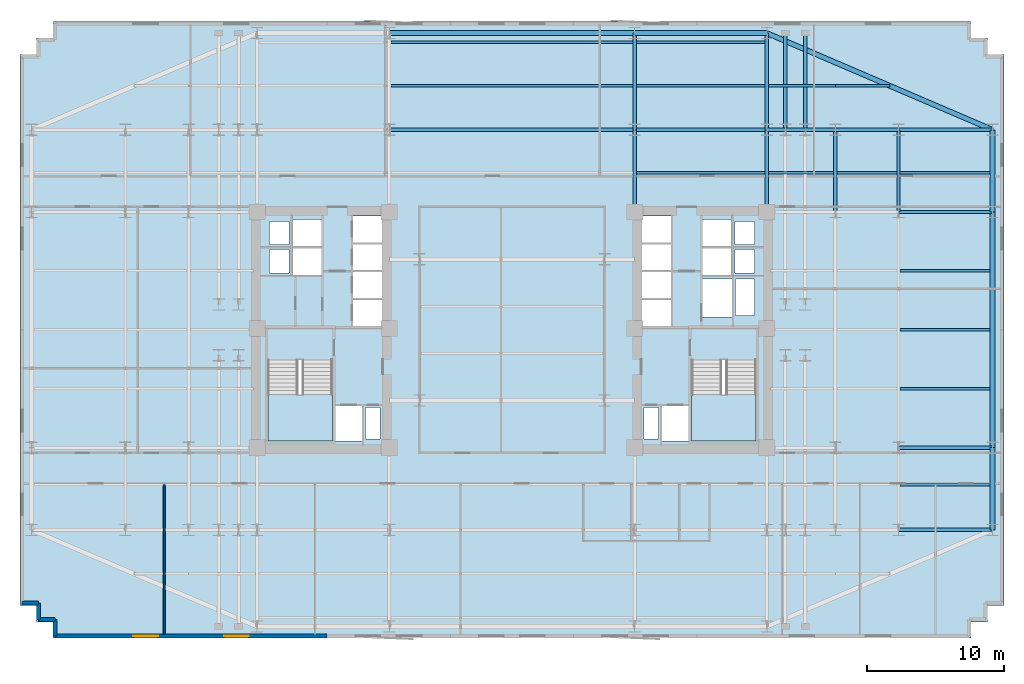
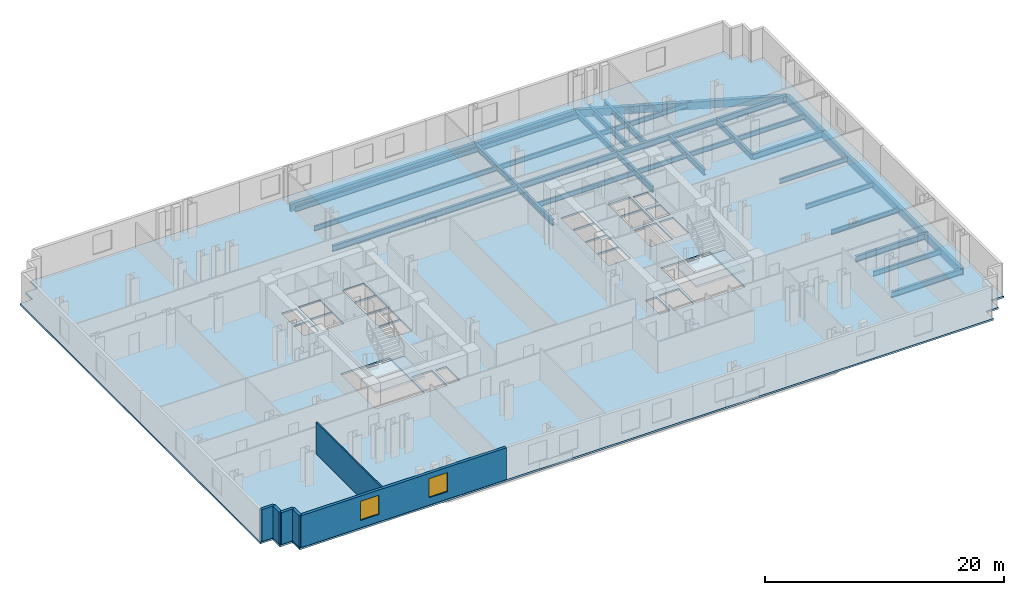
# One storey, part 3 of 10: 36 beams, 6 walls, 3 slabs, 2 windows, 2 openings, 2 elements without a shape of their own.
"""IFC4 building model written with IfcOpenShell, lengths in metres."""

from ifc_helpers import new_model, si_unit, direction, frame, frame_2d, origin, origin_2d, place, context, subcontext, project, spatial, polyline, rectangle, i_section, outline, extrude, material, layer, layer_set, material_profile, profile_set, type_object, element, fill, aggregate, save


model = new_model("IFC4")

# Units and contexts
model_context = context("Model", 3, precision=1e-05, world=origin(), true_north=direction((0.0, 1.0)))
body_context = subcontext(model_context, "Body", "Model", "MODEL_VIEW")
ifc_project = project(units=[si_unit("LENGTHUNIT", "METRE"), si_unit("AREAUNIT", "SQUARE_METRE"), si_unit("VOLUMEUNIT", "CUBIC_METRE"), si_unit("PLANEANGLEUNIT", "RADIAN"), si_unit("MASSUNIT", "GRAM", prefix="KILO")], contexts=[model_context])

# Site, building, storey
site_placement = place(None, origin())
site = spatial("IfcSite", under=ifc_project, at=site_placement, CompositionType="ELEMENT")
building_placement = place(site_placement, origin())
building = spatial("IfcBuilding", under=site, at=building_placement, Name="Velakula Bourse", CompositionType="ELEMENT")
storey_placement = place(building_placement, frame((0.0, 0.0, 48.449951171875)))
storey = spatial("IfcBuildingStorey", under=building, at=storey_placement, Name="L12", CompositionType="ELEMENT", Elevation=48.449951171875)

# Beams
ifc_material_1 = material(Name="Steel IS 2062 Grade 350 (E350)", Category="steel")
ifc_material_profile_1 = material_profile(ifc_material_1, i_section(OverallWidth=0.25, OverallDepth=0.60009765625, WebThickness=0.01171875, FlangeThickness=0.023681640625, at=origin_2d()), Name="Steel IS 2062 Grade 350 (E350)")
ifc_profile_set_1 = profile_set([ifc_material_profile_1], Name="Steel IS 2062 Grade 350 (E350)")
beam_type_1 = type_object("IfcBeamType", Name="BM-GRD-600H", PredefinedType="BEAM", material=ifc_profile_set_1)
for number, where, z_axis, x_axis, name in (
    (1, (8.949951171875, 8.60009765625, -0.47998046875), (0.0, 1.0, 0.0), (-1.0, 0.0, 0.0), "L12 Fulcrum Grid Girder FLC-ECN"),
    (2, (18.60009765625, 8.60009765625, -0.47998046875), (0.0, 1.0, 0.0), (-1.0, 0.0, 0.0), "L12 Fulcrum Grid Girder FLC-EN"),
):
    element("IfcBeam", number, at=place(storey_placement, frame(where, z_axis=z_axis, x_axis=x_axis)), inside=storey, type_object=beam_type_1, Name=name, PredefinedType="BEAM", context=body_context, shape_type="SweptSolid", body=[
        extrude(i_section(OverallWidth=0.25, OverallDepth=0.60009765625, WebThickness=0.01171875, FlangeThickness=0.023681640625, at=origin_2d()), origin(), (0.0, 0.0, 1.0), 6.0),
    ])
beam_1_placement = place(storey_placement, frame((-8.949951171875, 14.60009765625, -0.47998046875), z_axis=(1.0, 0.0, 0.0), x_axis=(0.0, 1.0, 0.0)))
element("IfcBeam", 3, at=beam_1_placement, inside=storey, type_object=beam_type_1, Name="L12 Fulcrum Grid Girder FLC-N2", PredefinedType="BEAM", context=body_context, shape_type="SweptSolid", body=[
    extrude(i_section(OverallWidth=0.25, OverallDepth=0.60009765625, WebThickness=0.01171875, FlangeThickness=0.023681640625, at=origin_2d()), origin(), (0.0, 0.0, 1.0), 17.89990234375),
])
beam_2_placement = place(storey_placement, frame((8.949951171875, 14.60009765625, -0.47998046875), z_axis=(1.0, 0.0, 0.0), x_axis=(0.0, 1.0, 0.0)))
element("IfcBeam", 4, at=beam_2_placement, inside=storey, type_object=beam_type_1, Name="L12 Fulcrum Grid Girder FLC-N3", PredefinedType="BEAM", context=body_context, shape_type="SweptSolid", body=[
    extrude(i_section(OverallWidth=0.25, OverallDepth=0.60009765625, WebThickness=0.01171875, FlangeThickness=0.023681640625, at=origin_2d()), origin(), (0.0, 0.0, 1.0), 9.650146484375),
])
beam_3_placement = place(storey_placement, frame((18.60009765625, 14.60009765625, -0.47998046875), z_axis=(1.0, 0.0, 0.0), x_axis=(0.0, 1.0, 0.0)))
element("IfcBeam", 5, at=beam_3_placement, inside=storey, type_object=beam_type_1, Name="L12 Fulcrum Grid Girder MWG-EN2", PredefinedType="BEAM", context=body_context, shape_type="SweptSolid", body=[
    extrude(i_section(OverallWidth=0.25, OverallDepth=0.60009765625, WebThickness=0.01171875, FlangeThickness=0.023681640625, at=origin_2d()), origin(), (0.0, 0.0, 1.0), 5.0),
])
beam_4_placement = place(storey_placement, frame((23.60009765625, 8.60009765625, -0.47998046875), z_axis=(0.0, 1.0, 0.0), x_axis=(-1.0, 0.0, 0.0)))
element("IfcBeam", 6, at=beam_4_placement, inside=storey, type_object=beam_type_1, Name="L12 Fulcrum Grid Girder MWG-ENS3", PredefinedType="BEAM", context=body_context, shape_type="SweptSolid", body=[
    extrude(i_section(OverallWidth=0.25, OverallDepth=0.60009765625, WebThickness=0.01171875, FlangeThickness=0.023681640625, at=origin_2d()), origin(), (0.0, 0.0, 1.0), 6.0),
])
beam_5_placement = place(storey_placement, frame((23.60009765625, 14.60009765625, -0.47998046875), z_axis=(1.0, 0.0, 0.0), x_axis=(0.0, 1.0, 0.0)))
element("IfcBeam", 7, at=beam_5_placement, inside=storey, type_object=beam_type_1, Name="L12 Fulcrum Grid Girder WNG-EN2", PredefinedType="BEAM", context=body_context, shape_type="SweptSolid", body=[
    extrude(i_section(OverallWidth=0.25, OverallDepth=0.60009765625, WebThickness=0.01171875, FlangeThickness=0.023681640625, at=origin_2d()), origin(), (0.0, 0.0, 1.0), 4.599853515625),
])
beam_6_placement = place(storey_placement, frame((28.199951171875, 8.60009765625, -0.47998046875), z_axis=(0.0, 1.0, 0.0), x_axis=(-1.0, 0.0, 0.0)))
element("IfcBeam", 8, at=beam_6_placement, inside=storey, type_object=beam_type_1, Name="L12 Fulcrum Grid Girder WNG-ENS3", PredefinedType="BEAM", context=body_context, shape_type="SweptSolid", body=[
    extrude(i_section(OverallWidth=0.25, OverallDepth=0.60009765625, WebThickness=0.01171875, FlangeThickness=0.023681640625, at=origin_2d()), origin(), (0.0, 0.0, 1.0), 6.0),
])
for number, where, z_axis, x_axis, name in (
    (9, (8.949951171875, 14.60009765625, -0.47998046875), (0.0, 1.0, 0.0), (-1.0, 0.0, 0.0), "L12 Perimeter Tie Girder N3"),
    (10, (18.60009765625, 14.60009765625, -0.47998046875), (0.0, 1.0, 0.0), (-1.0, 0.0, 0.0), "L12 Perimeter Tie Girder N4"),
):
    element("IfcBeam", number, at=place(storey_placement, frame(where, z_axis=z_axis, x_axis=x_axis)), inside=storey, type_object=beam_type_1, Name=name, PredefinedType="BEAM", context=body_context, shape_type="SweptSolid", body=[
        extrude(i_section(OverallWidth=0.25, OverallDepth=0.60009765625, WebThickness=0.01171875, FlangeThickness=0.023681640625, at=origin_2d()), origin(), (0.0, 0.0, 1.0), 7.0498046875),
    ])
for number, where, z_axis, x_axis, name in (
    (11, (28.199951171875, -14.60009765625, -0.47998046875), (1.0, 0.0, 0.0), (0.0, 1.0, 0.0), "L12 Perimeter Tie Girder E1"),
    (12, (28.199951171875, -8.60009765625, -0.47998046875), (1.0, 0.0, 0.0), (0.0, 1.0, 0.0), "L12 Perimeter Tie Girder E2"),
    (13, (28.199951171875, 8.60009765625, -0.47998046875), (1.0, 0.0, 0.0), (0.0, 1.0, 0.0), "L12 Perimeter Tie Girder E3"),
    (14, (28.199951171875, 14.60009765625, -0.47998046875), (1.0, 0.0, 0.0), (0.0, 1.0, 0.0), "L12 Perimeter Tie Girder E4"),
):
    element("IfcBeam", number, at=place(storey_placement, frame(where, z_axis=z_axis, x_axis=x_axis)), inside=storey, type_object=beam_type_1, Name=name, PredefinedType="BEAM", context=body_context, shape_type="SweptSolid", body=[
        extrude(i_section(OverallWidth=0.25, OverallDepth=0.60009765625, WebThickness=0.01171875, FlangeThickness=0.023681640625, at=origin_2d()), origin(), (0.0, 0.0, 1.0), 6.85009765625),
    ])
for number, where, z_axis, x_axis, name in (
    (15, (19.949951171875, 14.60009765625, -0.47998046875), (0.0, 1.0, 0.0), (-1.0, 0.0, 0.0), "L12 Perimeter Tie Girder P07"),
    (16, (21.39990234375, 14.60009765625, -0.47998046875), (0.0, 1.0, 0.0), (-1.0, 0.0, 0.0), "L12 Perimeter Tie Girder P08"),
):
    element("IfcBeam", number, at=place(storey_placement, frame(where, z_axis=z_axis, x_axis=x_axis)), inside=storey, type_object=beam_type_1, Name=name, PredefinedType="BEAM", context=body_context, shape_type="SweptSolid", body=[
        extrude(i_section(OverallWidth=0.25, OverallDepth=0.60009765625, WebThickness=0.01171875, FlangeThickness=0.023681640625, at=origin_2d()), origin(), (0.0, 0.0, 1.0), 7.0498046875),
    ])
ifc_material_profile_2 = material_profile(ifc_material_1, i_section(OverallWidth=0.179931640625, OverallDepth=0.5, WebThickness=0.01025390625, FlangeThickness=0.01708984375, at=origin_2d()), Name="Steel IS 2062 Grade 350 (E350)")
ifc_profile_set_2 = profile_set([ifc_material_profile_2], Name="Steel IS 2062 Grade 350 (E350)")
beam_type_2 = type_object("IfcBeamType", Name="JST-TWR-500", PredefinedType="JOIST", material=ifc_profile_set_2)
beam_7_placement = place(storey_placement, frame((28.324951171875, -11.300048828125, -0.429931640625), z_axis=(1.0, 0.0, 0.0), x_axis=(0.0, 1.0, 0.0)))
element("IfcBeam", 17, at=beam_7_placement, inside=storey, type_object=beam_type_2, Name="L12 Trading Floor Composite Joist 19", PredefinedType="JOIST", context=body_context, shape_type="SweptSolid", body=[
    extrude(i_section(OverallWidth=0.179931640625, OverallDepth=0.5, WebThickness=0.01025390625, FlangeThickness=0.01708984375, at=origin_2d()), origin(), (0.0, 0.0, 1.0), 6.550048828125),
])
beam_8_placement = place(storey_placement, frame((9.074951171875, 11.449951171875, -0.429931640625), z_axis=(1.0, 0.0, 0.0), x_axis=(0.0, 1.0, 0.0)))
element("IfcBeam", 18, at=beam_8_placement, inside=storey, type_object=beam_type_2, Name="L12 Trading Floor Composite Joist 25", PredefinedType="JOIST", context=body_context, shape_type="SweptSolid", body=[
    extrude(i_section(OverallWidth=0.179931640625, OverallDepth=0.5, WebThickness=0.01025390625, FlangeThickness=0.01708984375, at=origin_2d()), origin(), (0.0, 0.0, 1.0), 9.400146484375),
])
beam_9_placement = place(storey_placement, frame((18.72509765625, 11.449951171875, -0.429931640625), z_axis=(1.0, 0.0, 0.0), x_axis=(0.0, 1.0, 0.0)))
element("IfcBeam", 19, at=beam_9_placement, inside=storey, type_object=beam_type_2, Name="L12 Trading Floor Composite Joist 26", PredefinedType="JOIST", context=body_context, shape_type="SweptSolid", body=[
    extrude(i_section(OverallWidth=0.179931640625, OverallDepth=0.5, WebThickness=0.01025390625, FlangeThickness=0.01708984375, at=origin_2d()), origin(), (0.0, 0.0, 1.0), 4.75),
])
beam_10_placement = place(storey_placement, frame((23.72509765625, 11.449951171875, -0.429931640625), z_axis=(1.0, 0.0, 0.0), x_axis=(0.0, 1.0, 0.0)))
element("IfcBeam", 20, at=beam_10_placement, inside=storey, type_object=beam_type_2, Name="L12 Trading Floor Composite Joist 27", PredefinedType="JOIST", context=body_context, shape_type="SweptSolid", body=[
    extrude(i_section(OverallWidth=0.179931640625, OverallDepth=0.5, WebThickness=0.01025390625, FlangeThickness=0.01708984375, at=origin_2d()), origin(), (0.0, 0.0, 1.0), 4.349853515625),
])
beam_11_placement = place(storey_placement, frame((28.324951171875, 11.449951171875, -0.429931640625), z_axis=(1.0, 0.0, 0.0), x_axis=(0.0, 1.0, 0.0)))
element("IfcBeam", 21, at=beam_11_placement, inside=storey, type_object=beam_type_2, Name="L12 Trading Floor Composite Joist 28", PredefinedType="JOIST", context=body_context, shape_type="SweptSolid", body=[
    extrude(i_section(OverallWidth=0.179931640625, OverallDepth=0.5, WebThickness=0.01025390625, FlangeThickness=0.01708984375, at=origin_2d()), origin(), (0.0, 0.0, 1.0), 6.550048828125),
])
beam_12_placement = place(storey_placement, frame((-8.824951171875, 17.800048828125, -0.429931640625), z_axis=(1.0, 0.0, 0.0), x_axis=(0.0, 1.0, 0.0)))
element("IfcBeam", 22, at=beam_12_placement, inside=storey, type_object=beam_type_2, Name="L12 Trading Floor Composite Joist 32", PredefinedType="JOIST", context=body_context, shape_type="SweptSolid", body=[
    extrude(i_section(OverallWidth=0.179931640625, OverallDepth=0.5, WebThickness=0.01025390625, FlangeThickness=0.01708984375, at=origin_2d()), origin(), (0.0, 0.0, 1.0), 17.64990234375),
])
beam_13_placement = place(storey_placement, frame((9.074951171875, 17.800048828125, -0.429931640625), z_axis=(1.0, 0.0, 0.0), x_axis=(0.0, 1.0, 0.0)))
element("IfcBeam", 23, at=beam_13_placement, inside=storey, type_object=beam_type_2, Name="L12 Trading Floor Composite Joist 33", PredefinedType="JOIST", context=body_context, shape_type="SweptSolid", body=[
    extrude(i_section(OverallWidth=0.179931640625, OverallDepth=0.5, WebThickness=0.01025390625, FlangeThickness=0.01708984375, at=origin_2d()), origin(), (0.0, 0.0, 1.0), 9.400146484375),
])
beam_14_placement = place(storey_placement, frame((18.72509765625, 17.800048828125, -0.429931640625), z_axis=(1.0, 0.0, 0.0), x_axis=(0.0, 1.0, 0.0)))
element("IfcBeam", 24, at=beam_14_placement, inside=storey, type_object=beam_type_2, Name="L12 Trading Floor Composite Joist 34", PredefinedType="JOIST", context=body_context, shape_type="SweptSolid", body=[
    extrude(i_section(OverallWidth=0.179931640625, OverallDepth=0.5, WebThickness=0.01025390625, FlangeThickness=0.01708984375, at=origin_2d()), origin(), (0.0, 0.0, 1.0), 4.875),
])
beam_15_placement = place(storey_placement, frame((23.60009765625, 17.800048828125, -0.429931640625), z_axis=(1.0, 0.0, 0.0), x_axis=(0.0, 1.0, 0.0)))
element("IfcBeam", 25, at=beam_15_placement, inside=storey, type_object=beam_type_2, Name="L12 Trading Floor Composite Joist 35", PredefinedType="JOIST", context=body_context, shape_type="SweptSolid", body=[
    extrude(i_section(OverallWidth=0.179931640625, OverallDepth=0.5, WebThickness=0.01025390625, FlangeThickness=0.01708984375, at=origin_2d()), origin(), (0.0, 0.0, 1.0), 3.983154296875),
])
beam_16_placement = place(storey_placement, frame((-8.824951171875, 21.0, -0.429931640625), z_axis=(1.0, 0.0, 0.0), x_axis=(0.0, 1.0, 0.0)))
element("IfcBeam", 26, at=beam_16_placement, inside=storey, type_object=beam_type_2, Name="L12 Trading Floor Composite Joist 37", PredefinedType="JOIST", context=body_context, shape_type="SweptSolid", body=[
    extrude(i_section(OverallWidth=0.179931640625, OverallDepth=0.5, WebThickness=0.01025390625, FlangeThickness=0.01708984375, at=origin_2d()), origin(), (0.0, 0.0, 1.0), 17.64990234375),
])
beam_17_placement = place(storey_placement, frame((9.074951171875, 21.0, -0.429931640625), z_axis=(1.0, 0.0, 0.0), x_axis=(0.0, 1.0, 0.0)))
element("IfcBeam", 27, at=beam_17_placement, inside=storey, type_object=beam_type_2, Name="L12 Trading Floor Composite Joist 38", PredefinedType="JOIST", context=body_context, shape_type="SweptSolid", body=[
    extrude(i_section(OverallWidth=0.179931640625, OverallDepth=0.5, WebThickness=0.01025390625, FlangeThickness=0.01708984375, at=origin_2d()), origin(), (0.0, 0.0, 1.0), 9.400146484375),
])
for number, where, z_axis, x_axis, name in (
    (28, (28.324951171875, -4.300048828125, -0.429931640625), (1.0, 0.0, 0.0), (0.0, 1.0, 0.0), "L12 Trading Floor Composite Joist 46"),
    (29, (28.324951171875, 0.0, -0.429931640625), (1.0, 0.0, 0.0), (0.0, 1.0, 0.0), "L12 Trading Floor Composite Joist 52"),
    (30, (28.324951171875, 4.300048828125, -0.429931640625), (1.0, 0.0, 0.0), (0.0, 1.0, 0.0), "L12 Trading Floor Composite Joist 58"),
):
    element("IfcBeam", number, at=place(storey_placement, frame(where, z_axis=z_axis, x_axis=x_axis)), inside=storey, type_object=beam_type_2, Name=name, PredefinedType="JOIST", context=body_context, shape_type="SweptSolid", body=[
        extrude(i_section(OverallWidth=0.179931640625, OverallDepth=0.5, WebThickness=0.01025390625, FlangeThickness=0.01708984375, at=origin_2d()), origin(), (0.0, 0.0, 1.0), 6.550048828125),
    ])
ifc_material_2 = material(Name="Precast concrete M45 (fck 45 MPa)", Category="concrete")
ifc_material_profile_3 = material_profile(ifc_material_2, rectangle(XDim=0.35009765625, YDim=0.75, at=origin_2d()), Name="Precast concrete M45 (fck 45 MPa)")
ifc_profile_set_3 = profile_set([ifc_material_profile_3], Name="Precast concrete M45 (fck 45 MPa)")
beam_type_3 = type_object("IfcBeamType", Name="SPN-BRICK-750", PredefinedType="SPANDREL", material=ifc_profile_set_3)
beam_18_placement = place(storey_placement, frame((-8.949951171875, 21.64990234375, -0.554931640625), z_axis=(1.0, 0.0, 0.0), x_axis=(0.0, 1.0, 0.0)))
element("IfcBeam", 31, at=beam_18_placement, inside=storey, type_object=beam_type_3, Name="L12 Brick-Faced Precast Spandrel N2-N3", PredefinedType="SPANDREL", context=body_context, shape_type="SweptSolid", body=[
    extrude(rectangle(XDim=0.35009765625, YDim=0.75, at=origin_2d()), origin(), (0.0, 0.0, 1.0), 17.89990234375),
])
beam_19_placement = place(storey_placement, frame((8.949951171875, 21.64990234375, -0.554931640625), z_axis=(1.0, 0.0, 0.0), x_axis=(0.0, 1.0, 0.0)))
element("IfcBeam", 32, at=beam_19_placement, inside=storey, type_object=beam_type_3, Name="L12 Brick-Faced Precast Spandrel N3-N4", PredefinedType="SPANDREL", context=body_context, shape_type="SweptSolid", body=[
    extrude(rectangle(XDim=0.35009765625, YDim=0.75, at=origin_2d()), origin(), (0.0, 0.0, 1.0), 9.650146484375),
])
beam_20_placement = place(storey_placement, frame((35.050048828125, -14.60009765625, -0.554931640625), z_axis=(0.0, 1.0, 0.0), x_axis=(-1.0, 0.0, 0.0)))
element("IfcBeam", 33, at=beam_20_placement, inside=storey, type_object=beam_type_3, Name="L12 Brick-Faced Precast Spandrel E1-E2", PredefinedType="SPANDREL", context=body_context, shape_type="SweptSolid", body=[
    extrude(rectangle(XDim=0.35009765625, YDim=0.75, at=origin_2d()), origin(), (0.0, 0.0, 1.0), 6.0),
])
beam_21_placement = place(storey_placement, frame((35.050048828125, -8.60009765625, -0.554931640625), z_axis=(0.0, 1.0, 0.0), x_axis=(-1.0, 0.0, 0.0)))
element("IfcBeam", 34, at=beam_21_placement, inside=storey, type_object=beam_type_3, Name="L12 Brick-Faced Precast Spandrel E2-E3", PredefinedType="SPANDREL", context=body_context, shape_type="SweptSolid", body=[
    extrude(rectangle(XDim=0.35009765625, YDim=0.75, at=origin_2d()), origin(), (0.0, 0.0, 1.0), 17.2001953125),
])
beam_22_placement = place(storey_placement, frame((35.050048828125, 8.60009765625, -0.554931640625), z_axis=(0.0, 1.0, 0.0), x_axis=(-1.0, 0.0, 0.0)))
element("IfcBeam", 35, at=beam_22_placement, inside=storey, type_object=beam_type_3, Name="L12 Brick-Faced Precast Spandrel E3-E4", PredefinedType="SPANDREL", context=body_context, shape_type="SweptSolid", body=[
    extrude(rectangle(XDim=0.35009765625, YDim=0.75, at=origin_2d()), origin(), (0.0, 0.0, 1.0), 6.0),
])
beam_23_placement = place(storey_placement, frame((35.050048828125, 14.60009765625, -0.554931640625), z_axis=(-0.919148557947, 0.393911066642, 0.0), x_axis=(-0.393911066642, -0.919148557947, 0.0)))
element("IfcBeam", 36, at=beam_23_placement, inside=storey, type_object=beam_type_3, Name="L12 Brick-Faced Precast Spandrel E4-N4", PredefinedType="SPANDREL", context=body_context, shape_type="SweptSolid", body=[
    extrude(rectangle(XDim=0.35009765625, YDim=0.75, at=origin_2d()), origin(), (0.0, 0.0, 1.0), 17.89697265625),
])

# Stair, slab
ifc_material_3 = material(Name="Concrete M45 (fck 45 MPa)", Category="concrete")
stair_type = type_object("IfcStairType", Name="STR-DOG-390", PredefinedType="HALF_TURN_STAIR", material=ifc_material_3)
stair_1_placement = place(storey_placement, origin())
stair_1 = element("IfcStair", 37, at=stair_1_placement, inside=storey, type_object=stair_type, Name="L12 West Core Exit Stair ST-W1", PredefinedType="HALF_TURN_STAIR")
ifc_layer_1 = layer(ifc_material_3, 0.199951171875, Name="Concrete M45 (fck 45 MPa)", Category="concrete")
ifc_layer_set_1 = layer_set([ifc_layer_1], Name="Concrete M45 (fck 45 MPa)")
slab_type_1 = type_object("IfcSlabType", Name="SLB-STAIR-LND-200", PredefinedType="LANDING", material=ifc_layer_set_1)
slab_1_placement = place(storey_placement, frame((0.0, 0.0, 1.525146484375)))
slab_1 = element("IfcSlab", 38, at=slab_1_placement, type_object=slab_type_1, Name="ST-W1 landing 1", PredefinedType="LANDING", context=body_context, shape_type="SweptSolid", body=[
    extrude(outline(polyline([(-17.820068359375, -4.719970703125), (-17.820068359375, -8.10009765625), (-13.10009765625, -8.10009765625), (-13.10009765625, -4.719970703125), (-17.820068359375, -4.719970703125)])), origin(), (0.0, 0.0, 1.0), 0.199951171875),
])
aggregate(stair_1, [slab_1])

stair_2_placement = place(storey_placement, origin())
stair_2 = element("IfcStair", 39, at=stair_2_placement, inside=storey, type_object=stair_type, Name="L12 East Core Exit Stair ST-E1", PredefinedType="HALF_TURN_STAIR")
slab_2_placement = place(storey_placement, frame((0.0, 0.0, 1.525146484375)))
slab_2 = element("IfcSlab", 40, at=slab_2_placement, type_object=slab_type_1, Name="ST-E1 landing 1", PredefinedType="LANDING", context=body_context, shape_type="SweptSolid", body=[
    extrude(outline(polyline([(13.10009765625, -4.719970703125), (13.10009765625, -8.10009765625), (17.820068359375, -8.10009765625), (17.820068359375, -4.719970703125), (13.10009765625, -4.719970703125)])), origin(), (0.0, 0.0, 1.0), 0.199951171875),
])
aggregate(stair_2, [slab_2])

# Slab
ifc_material_4 = material(Name="Concrete M50 (fck 50 MPa)", Category="concrete")
ifc_layer_2 = layer(ifc_material_4, 0.179931640625, Name="Concrete M50 (fck 50 MPa)", Category="concrete")
ifc_layer_set_2 = layer_set([ifc_layer_2], Name="Concrete M50 (fck 50 MPa)")
slab_type_2 = type_object("IfcSlabType", Name="SLB-TWR-180", PredefinedType="FLOOR", material=ifc_layer_set_2)
slab_3_placement = place(storey_placement, frame((0.0, 0.0, -0.179931640625)))
element("IfcSlab", 41, at=slab_3_placement, inside=storey, type_object=slab_type_2, Name="L12 Suspended Structural Floor Slab", PredefinedType="FLOOR", context=body_context, shape_type="SweptSolid", body=[
    extrude(outline(polyline([(-33.5, -22.5), (33.5, -22.5), (33.5, -21.300048828125), (34.699951171875, -21.300048828125), (34.699951171875, -20.10009765625), (35.89990234375, -20.10009765625), (35.89990234375, 20.10009765625), (34.699951171875, 20.10009765625), (34.699951171875, 21.300048828125), (33.5, 21.300048828125), (33.5, 22.5), (-33.5, 22.5), (-33.5, 21.300048828125), (-34.699951171875, 21.300048828125), (-34.699951171875, 20.10009765625), (-35.89990234375, 20.10009765625), (-35.89990234375, -20.10009765625), (-34.699951171875, -20.10009765625), (-34.699951171875, -21.300048828125), (-33.5, -21.300048828125), (-33.5, -22.5)]), holes=[polyline([(-17.820068359375, -8.10009765625), (-13.10009765625, -8.10009765625), (-13.10009765625, -2.199951171875), (-17.820068359375, -2.199951171875), (-17.820068359375, -8.10009765625)]), polyline([(13.10009765625, -8.10009765625), (17.820068359375, -8.10009765625), (17.820068359375, -2.199951171875), (13.10009765625, -2.199951171875), (13.10009765625, -8.10009765625)]), polyline([(-12.89990234375, -8.10009765625), (-10.949951171875, -8.10009765625), (-10.949951171875, -5.550048828125), (-12.89990234375, -5.550048828125), (-12.89990234375, -8.10009765625)]), polyline([(10.949951171875, -8.10009765625), (12.89990234375, -8.10009765625), (12.89990234375, -5.550048828125), (10.949951171875, -5.550048828125), (10.949951171875, -8.10009765625)]), polyline([(13.89990234375, 0.919921875), (16.050048828125, 0.919921875), (16.050048828125, 3.719970703125), (13.89990234375, 3.719970703125), (13.89990234375, 0.919921875)]), polyline([(-10.679931640625, -7.97998046875), (-9.6201171875, -7.97998046875), (-9.6201171875, -5.669921875), (-10.679931640625, -5.669921875), (-10.679931640625, -7.97998046875)]), polyline([(-17.679931640625, 4.139892578125), (-16.27001953125, 4.139892578125), (-16.27001953125, 5.85009765625), (-17.679931640625, 5.85009765625), (-17.679931640625, 4.139892578125)]), polyline([(-17.679931640625, 6.2099609375), (-16.27001953125, 6.2099609375), (-16.27001953125, 7.919921875), (-17.679931640625, 7.919921875), (-17.679931640625, 6.2099609375)]), polyline([(9.6201171875, -7.97998046875), (10.679931640625, -7.97998046875), (10.679931640625, -5.669921875), (9.6201171875, -5.669921875), (9.6201171875, -7.97998046875)]), polyline([(16.27001953125, 4.139892578125), (17.679931640625, 4.139892578125), (17.679931640625, 5.85009765625), (16.27001953125, 5.85009765625), (16.27001953125, 4.139892578125)]), polyline([(16.27001953125, 6.2099609375), (17.679931640625, 6.2099609375), (17.679931640625, 7.919921875), (16.27001953125, 7.919921875), (16.27001953125, 6.2099609375)]), polyline([(16.320068359375, 1.0400390625), (17.679931640625, 1.0400390625), (17.679931640625, 3.699951171875), (16.320068359375, 3.699951171875), (16.320068359375, 1.0400390625)]), polyline([(-11.60009765625, 0.280029296875), (-9.5, 0.280029296875), (-9.5, 2.199951171875), (-11.60009765625, 2.199951171875), (-11.60009765625, 0.280029296875)]), polyline([(-11.60009765625, 2.31005859375), (-9.5, 2.31005859375), (-9.5, 4.22998046875), (-11.60009765625, 4.22998046875), (-11.60009765625, 2.31005859375)]), polyline([(-11.60009765625, 4.340087890625), (-9.5, 4.340087890625), (-9.5, 6.260009765625), (-11.60009765625, 6.260009765625), (-11.60009765625, 4.340087890625)]), polyline([(-11.60009765625, 6.3701171875), (-9.5, 6.3701171875), (-9.5, 8.2900390625), (-11.60009765625, 8.2900390625), (-11.60009765625, 6.3701171875)]), polyline([(9.5, 0.280029296875), (11.60009765625, 0.280029296875), (11.60009765625, 2.199951171875), (9.5, 2.199951171875), (9.5, 0.280029296875)]), polyline([(9.5, 2.31005859375), (11.60009765625, 2.31005859375), (11.60009765625, 4.22998046875), (9.5, 4.22998046875), (9.5, 2.31005859375)]), polyline([(9.5, 4.340087890625), (11.60009765625, 4.340087890625), (11.60009765625, 6.260009765625), (9.5, 6.260009765625), (9.5, 4.340087890625)]), polyline([(9.5, 6.3701171875), (11.60009765625, 6.3701171875), (11.60009765625, 8.2900390625), (9.5, 8.2900390625), (9.5, 6.3701171875)]), polyline([(-16.0, 4.02001953125), (-13.89990234375, 4.02001953125), (-13.89990234375, 5.969970703125), (-16.0, 5.969970703125), (-16.0, 4.02001953125)]), polyline([(-16.0, 6.090087890625), (-13.89990234375, 6.090087890625), (-13.89990234375, 8.0400390625), (-16.0, 8.0400390625), (-16.0, 6.090087890625)]), polyline([(13.89990234375, 4.02001953125), (16.0, 4.02001953125), (16.0, 5.969970703125), (13.89990234375, 5.969970703125), (13.89990234375, 4.02001953125)]), polyline([(13.89990234375, 6.090087890625), (16.0, 6.090087890625), (16.0, 8.0400390625), (13.89990234375, 8.0400390625), (13.89990234375, 6.090087890625)])]), origin(), (0.0, 0.0, 1.0), 0.179931640625),
])

# Wall, openings, windows
ifc_material_5 = material(Name="Red kilned clay facing brick masonry", Category="masonry")
ifc_layer_3 = layer(ifc_material_5, 0.280029296875, Name="Red kilned clay facing brick masonry", Category="masonry")
ifc_layer_set_3 = layer_set([ifc_layer_3], Name="Red kilned clay facing brick masonry")
wall_type_1 = type_object("IfcWallType", Name="WL-EXT-BRK-280", PredefinedType="STANDARD", material=ifc_layer_set_3)
wall_1_placement = place(storey_placement, frame((-13.5, -22.340087890625, 0.0), z_axis=(0.0, 0.0, 1.0), x_axis=(-1.0, 0.0, 0.0)))
wall_1 = element("IfcWall", 42, at=wall_1_placement, inside=storey, type_object=wall_type_1, Name="L12 S Brick Spandrel Wall B1", PredefinedType="STANDARD", context=body_context, shape_type="SweptSolid", body=[
    extrude(rectangle(XDim=19.840087890625, YDim=0.280029296875, at=frame_2d((9.919921875, 0.0))), origin(), (0.0, 0.0, 1.0), 3.25),
])
opening_1_placement = place(wall_1_placement, frame((5.71337890625, 0.0, 0.760009765625)))
opening_1 = element("IfcOpeningElement", 43, at=opening_1_placement, cuts=wall_1, Name="Opening W-01", PredefinedType="OPENING", context=body_context, shape_type="SweptSolid", body=[
    extrude(rectangle(XDim=1.800048828125, YDim=1.949951171875, at=frame_2d((0.89990234375, 0.97509765625))), frame((0.0, 0.14990234375, 0.0), z_axis=(0.0, -1.0, 0.0), x_axis=(1.0, 0.0, 0.0)), (0.0, 0.0, 1.0), 0.300048828125),
])
opening_2_placement = place(wall_1_placement, frame((12.32666015625, 0.0, 0.760009765625)))
opening_2 = element("IfcOpeningElement", 44, at=opening_2_placement, cuts=wall_1, Name="Opening W-01", PredefinedType="OPENING", context=body_context, shape_type="SweptSolid", body=[
    extrude(rectangle(XDim=1.800048828125, YDim=1.949951171875, at=frame_2d((0.89990234375, 0.97509765625))), frame((0.0, 0.14990234375, 0.0), z_axis=(0.0, -1.0, 0.0), x_axis=(1.0, 0.0, 0.0)), (0.0, 0.0, 1.0), 0.300048828125),
])
ifc_material_6 = material(Name="Double-glazed solar-control Low-E glass", Category="glass")
window_type = type_object("IfcWindowType", Name="WIN-TWR-1800x2100", PartitioningType="SINGLE_PANEL", PredefinedType="WINDOW", material=ifc_material_6)
window_1_placement = place(opening_1_placement, origin())
window_1 = element("IfcWindow", 45, at=window_1_placement, inside=storey, type_object=window_type, Name="L12 Deep-Set Recessed Window 1", OverallHeight=1.949951171875, OverallWidth=1.800048828125, PartitioningType="SINGLE_PANEL", PredefinedType="WINDOW", context=body_context, shape_type="SweptSolid", body=[
    extrude(rectangle(XDim=1.800048828125, YDim=1.949951171875, at=frame_2d((0.89990234375, 0.97509765625))), frame((0.0, 0.030029296875, 0.0), z_axis=(0.0, -1.0, 0.0), x_axis=(1.0, 0.0, 0.0)), (0.0, 0.0, 1.0), 0.06005859375),
])
fill(opening_1, window_1)
window_2_placement = place(opening_2_placement, origin())
window_2 = element("IfcWindow", 46, at=window_2_placement, inside=storey, type_object=window_type, Name="L12 Deep-Set Recessed Window 2", OverallHeight=1.949951171875, OverallWidth=1.800048828125, PartitioningType="SINGLE_PANEL", PredefinedType="WINDOW", context=body_context, shape_type="SweptSolid", body=[
    extrude(rectangle(XDim=1.800048828125, YDim=1.949951171875, at=frame_2d((0.89990234375, 0.97509765625))), frame((0.0, 0.030029296875, 0.0), z_axis=(0.0, -1.0, 0.0), x_axis=(1.0, 0.0, 0.0)), (0.0, 0.0, 1.0), 0.06005859375),
])
fill(opening_2, window_2)

# Walls
for number, where, z_axis, x_axis, name in (
    (47, (-35.739990234375, -19.93994140625, 0.0), (0.0, 0.0, 1.0), (1.0, 0.0, 0.0), "L12 Serrated Corner Brick Wall SW-1"),
    (48, (-34.5400390625, -19.93994140625, 0.0), (0.0, 0.0, 1.0), (0.0, -1.0, 0.0), "L12 Serrated Corner Brick Wall SW-2"),
    (49, (-34.5400390625, -21.139892578125, 0.0), (0.0, 0.0, 1.0), (1.0, 0.0, 0.0), "L12 Serrated Corner Brick Wall SW-3"),
):
    element("IfcWall", number, at=place(storey_placement, frame(where, z_axis=z_axis, x_axis=x_axis)), inside=storey, type_object=wall_type_1, Name=name, PredefinedType="STANDARD", context=body_context, shape_type="SweptSolid", body=[
        extrude(rectangle(XDim=1.199951171875, YDim=0.280029296875, at=frame_2d((0.60009765625, 0.0))), origin(), (0.0, 0.0, 1.0), 3.25),
    ])
wall_2_placement = place(storey_placement, frame((-33.340087890625, -21.139892578125, 0.0), z_axis=(0.0, 0.0, 1.0), x_axis=(0.0, -1.0, 0.0)))
element("IfcWall", 50, at=wall_2_placement, inside=storey, type_object=wall_type_1, Name="L12 Serrated Corner Brick Wall SW-4", PredefinedType="STANDARD", context=body_context, shape_type="SweptSolid", body=[
    extrude(rectangle(XDim=1.2001953125, YDim=0.280029296875, at=frame_2d((0.60009765625, 0.0))), origin(), (0.0, 0.0, 1.0), 3.25),
])
ifc_material_7 = material(Name="Fire-rated double-layer gypsum drywall partition", Category="gypsum")
ifc_layer_4 = layer(ifc_material_7, 0.1201171875, Name="Fire-rated double-layer gypsum drywall partition", Category="gypsum")
ifc_layer_set_4 = layer_set([ifc_layer_4], Name="Fire-rated double-layer gypsum drywall partition")
wall_type_2 = type_object("IfcWallType", Name="WL-PART-120", PredefinedType="STANDARD", material=ifc_layer_set_4)
wall_3_placement = place(storey_placement, frame((-25.3701171875, -22.219970703125, 0.0), z_axis=(0.0, 0.0, 1.0), x_axis=(0.0, 1.0, 0.0)))
element("IfcWall", 51, at=wall_3_placement, inside=storey, type_object=wall_type_2, Name="L12 Interior Partition WL-INT-L12-SL-D5", PredefinedType="STANDARD", context=body_context, shape_type="SweptSolid", body=[
    extrude(rectangle(XDim=10.929931640625, YDim=0.1201171875, at=frame_2d((5.46484375, 0.0))), origin(), (0.0, 0.0, 1.0), 3.25),
])

save(model, "model.ifc")
